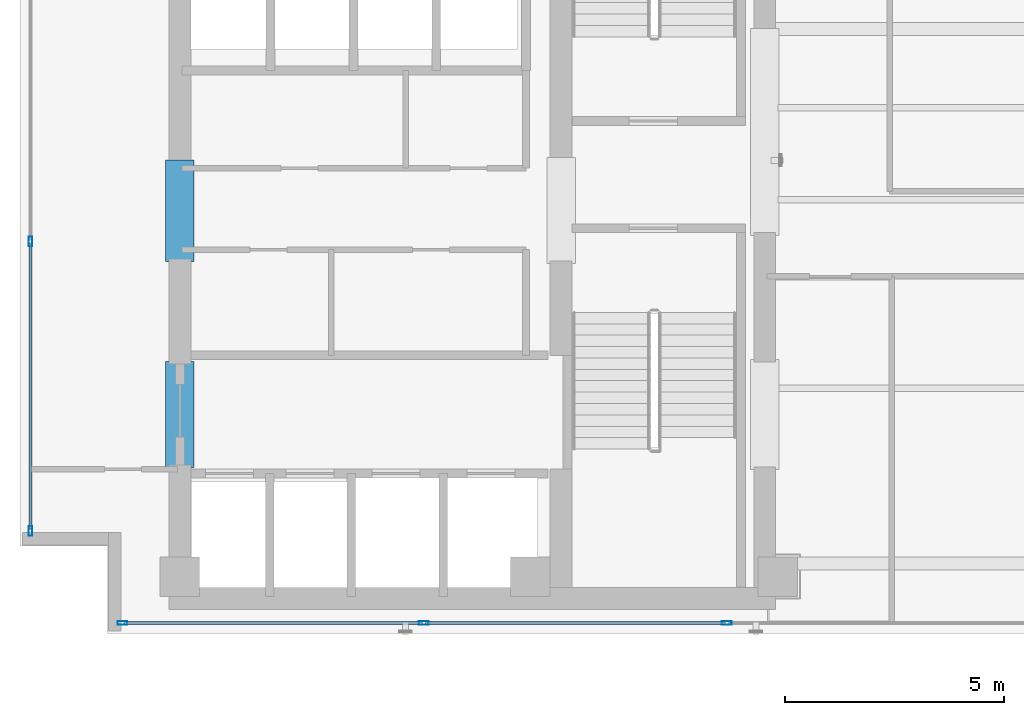
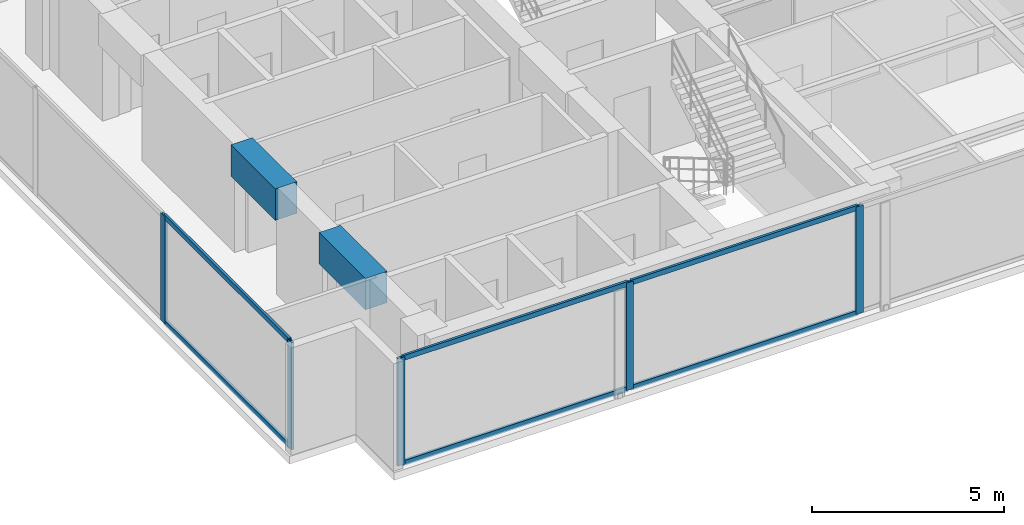
# One storey, part 2 of 23: 11 members, 2 beams, 2 elements without a shape of their own.
"""IFC4 building model written with IfcOpenShell, lengths in metres."""

from ifc_helpers import new_model, si_unit, direction, frame, origin, origin_with_axes, origin_2d, place, context, subcontext, project, spatial, rectangle, hollow_rectangle, extrude, source, transform, mapped, material, layer, layer_set, material_profile, profile_set, type_object, element, aggregate, save


model = new_model("IFC4")

# Units and contexts
model_context = context("Model", 3, precision=1e-05, world=origin(), true_north=direction((0.0, 1.0)))
body_context = subcontext(model_context, "Body", "Model", "MODEL_VIEW")
ifc_project = project(units=[si_unit("LENGTHUNIT", "METRE"), si_unit("AREAUNIT", "SQUARE_METRE"), si_unit("VOLUMEUNIT", "CUBIC_METRE"), si_unit("PLANEANGLEUNIT", "RADIAN"), si_unit("MASSUNIT", "GRAM", prefix="KILO")], contexts=[model_context])

# Site, building, storey
site_placement = place(None, origin())
site = spatial("IfcSite", under=ifc_project, at=site_placement, CompositionType="ELEMENT")
building_placement = place(site_placement, origin())
building = spatial("IfcBuilding", under=site, at=building_placement, Name="Kolvaren Waterfront Exchange", CompositionType="ELEMENT")
storey_placement = place(building_placement, frame((0.0, 0.0, 335.0)))
storey = spatial("IfcBuildingStorey", under=building, at=storey_placement, Name="L86", CompositionType="ELEMENT", Elevation=335.0)

# Beams
ifc_material_1 = material(Name="Concrete C60/75", Category="concrete")
ifc_material_profile_1 = material_profile(ifc_material_1, rectangle(XDim=0.64990234375, YDim=1.0, at=origin_2d()), Name="RC-CB-1000x650")
ifc_profile_set_1 = profile_set([ifc_material_profile_1], Name="Concrete C60/75")
beam_type = type_object("IfcBeamType", Name="STR-CB-1000", PredefinedType="SPANDREL", material=ifc_profile_set_1)
beam_1_placement = place(storey_placement, frame((7.449951171875, 7.389892578125, 2.919921875), z_axis=(0.0, 1.0, 0.0), x_axis=(-1.0, 0.0, 0.0)))
element("IfcBeam", 1, at=beam_1_placement, inside=storey, type_object=beam_type, Name="L86 core coupling beam 3", PredefinedType="SPANDREL", context=body_context, shape_type="SweptSolid", body=[
    extrude(rectangle(XDim=0.64990234375, YDim=1.0, at=origin_2d()), origin(), (0.0, 0.0, 1.0), 2.420166015625),
])
beam_2_placement = place(storey_placement, frame((7.449951171875, 12.090087890625, 2.919921875), z_axis=(0.0, 1.0, 0.0), x_axis=(-1.0, 0.0, 0.0)))
element("IfcBeam", 2, at=beam_2_placement, inside=storey, type_object=beam_type, Name="L86 core coupling beam 4", PredefinedType="SPANDREL", context=body_context, shape_type="SweptSolid", body=[
    extrude(rectangle(XDim=0.64990234375, YDim=1.0, at=origin_2d()), origin(), (0.0, 0.0, 1.0), 2.31982421875),
])

# Curtain wall, members
ifc_material_2 = material(Name="Anodised bronze aluminium 6063-T6", Category="aluminium")
ifc_layer_1 = layer(ifc_material_2, 0.219970703125, Name="Anodised bronze aluminium 6063-T6")
ifc_layer_set_1 = layer_set([ifc_layer_1], Name="Anodised bronze aluminium 6063-T6")
curtain_wall_type_1 = type_object("IfcCurtainWallType", Name="ARC-CW-SYS1", PredefinedType="USERDEFINED", material=ifc_layer_set_1)
curtain_wall_1_placement = place(storey_placement, origin())
curtain_wall_1 = element("IfcCurtainWall", 3, at=curtain_wall_1_placement, inside=storey, type_object=curtain_wall_type_1, Name="L86 stick curtain wall CW1 (CW-L86-S)", ObjectType="STICK CURTAIN WALL", PredefinedType="USERDEFINED")
ifc_material_3 = material(Name="Anodised aluminium 6063-T6", Category="aluminium")
ifc_material_profile_2 = material_profile(ifc_material_3, hollow_rectangle(XDim=0.080078125, YDim=0.219970703125, WallThickness=0.0048828125, at=origin_2d()), Name="ALU-MUL-220x80x5")
ifc_profile_set_2 = profile_set([ifc_material_profile_2], Name="Anodised aluminium 6063-T6")
member_type_1 = type_object("IfcMemberType", Name="ARC-CWM-220", PredefinedType="MULLION", material=ifc_profile_set_2)
shared_shape_1 = source(origin_with_axes(), body_context, "Body", "SweptSolid", [
    extrude(hollow_rectangle(XDim=0.080078125, YDim=0.219970703125, WallThickness=0.0048828125, at=origin_2d()), origin(), (0.0, 0.0, 1.0), 3.419921875),
])
member_1_placement = place(storey_placement, frame((6.139892578125, 3.840087890625, 0.0), z_axis=(0.0, 0.0, 1.0), x_axis=(0.0, 1.0, 0.0)))
member_1 = element("IfcMember", 4, at=member_1_placement, type_object=member_type_1, Name="CW1 mullion 1", PredefinedType="MULLION", context=body_context, shape_type="MappedRepresentation", body=[
    mapped(shared_shape_1, transform((0.0, 0.0, 0.0), x_axis=(1.0, 0.0, 0.0), y_axis=(0.0, 1.0, 0.0), z_axis=(0.0, 0.0, 1.0), scale=1.0)),
])
member_2_placement = place(storey_placement, frame((13.0166015625, 3.840087890625, 0.0), z_axis=(0.0, 0.0, 1.0), x_axis=(0.0, 1.0, 0.0)))
member_2 = element("IfcMember", 5, at=member_2_placement, type_object=member_type_1, Name="CW1 mullion 2", PredefinedType="MULLION", context=body_context, shape_type="MappedRepresentation", body=[
    mapped(shared_shape_1, transform((0.0, 0.0, 0.0), x_axis=(1.0, 0.0, 0.0), y_axis=(0.0, 1.0, 0.0), z_axis=(0.0, 0.0, 1.0), scale=1.0)),
])
member_3_placement = place(storey_placement, frame((19.933349609375, 3.840087890625, 0.0), z_axis=(0.0, 0.0, 1.0), x_axis=(0.0, 1.0, 0.0)))
member_3 = element("IfcMember", 6, at=member_3_placement, type_object=member_type_1, Name="CW1 mullion 3", PredefinedType="MULLION", context=body_context, shape_type="MappedRepresentation", body=[
    mapped(shared_shape_1, transform((0.0, 0.0, 0.0), x_axis=(1.0, 0.0, 0.0), y_axis=(0.0, 1.0, 0.0), z_axis=(0.0, 0.0, 1.0), scale=1.0)),
])

ifc_layer_2 = layer(ifc_material_3, 0.219970703125, Name="Anodised aluminium 6063-T6")
ifc_layer_set_2 = layer_set([ifc_layer_2], Name="Anodised aluminium 6063-T6")
curtain_wall_type_2 = type_object("IfcCurtainWallType", Name="ARC-CW-SYS2", PredefinedType="USERDEFINED", material=ifc_layer_set_2)
curtain_wall_2_placement = place(storey_placement, origin())
curtain_wall_2 = element("IfcCurtainWall", 7, at=curtain_wall_2_placement, inside=storey, type_object=curtain_wall_type_2, Name="L86 stick curtain wall CW2 (CW-L86-W)", ObjectType="STICK CURTAIN WALL", PredefinedType="USERDEFINED")
member_4_placement = place(storey_placement, frame((4.0400390625, 5.93994140625, 0.0), z_axis=(0.0, 0.0, 1.0), x_axis=(-1.0, 0.0, 0.0)))
member_4 = element("IfcMember", 8, at=member_4_placement, type_object=member_type_1, Name="CW2 mullion 1", PredefinedType="MULLION", context=body_context, shape_type="MappedRepresentation", body=[
    mapped(shared_shape_1, transform((0.0, 0.0, 0.0), x_axis=(1.0, 0.0, 0.0), y_axis=(0.0, 1.0, 0.0), z_axis=(0.0, 0.0, 1.0), scale=1.0)),
])
member_5_placement = place(storey_placement, frame((4.0400390625, 12.550048828125, 0.0), z_axis=(0.0, 0.0, 1.0), x_axis=(-1.0, 0.0, 0.0)))
member_5 = element("IfcMember", 9, at=member_5_placement, type_object=member_type_1, Name="CW2 mullion 2", PredefinedType="MULLION", context=body_context, shape_type="MappedRepresentation", body=[
    mapped(shared_shape_1, transform((0.0, 0.0, 0.0), x_axis=(1.0, 0.0, 0.0), y_axis=(0.0, 1.0, 0.0), z_axis=(0.0, 0.0, 1.0), scale=1.0)),
])

# Member
ifc_material_profile_3 = material_profile(ifc_material_3, hollow_rectangle(XDim=0.074951171875, YDim=0.159912109375, WallThickness=0.00439453125, at=origin_2d()), Name="ALU-TRN-160x75x4.5")
ifc_profile_set_3 = profile_set([ifc_material_profile_3], Name="Anodised aluminium 6063-T6")
member_type_2 = type_object("IfcMemberType", Name="ARC-CWT-160", PredefinedType="USERDEFINED", material=ifc_profile_set_3)
shared_shape_2 = source(origin_with_axes(), body_context, "Body", "SweptSolid", [
    extrude(hollow_rectangle(XDim=0.074951171875, YDim=0.159912109375, WallThickness=0.00439453125, at=origin_2d()), origin(), (0.0, 0.0, 1.0), 6.796630859375),
])
member_6_placement = place(storey_placement, frame((6.179931640625, 3.840087890625, 0.03759765625), z_axis=(1.0, 0.0, 0.0), x_axis=(0.0, 1.0, 0.0)))
member_6 = element("IfcMember", 10, at=member_6_placement, type_object=member_type_2, Name="CW1 transom 1.1", ObjectType="TRANSOM", PredefinedType="USERDEFINED", context=body_context, shape_type="MappedRepresentation", body=[
    mapped(shared_shape_2, transform((0.0, 0.0, 0.0), x_axis=(1.0, 0.0, 0.0), y_axis=(0.0, 1.0, 0.0), z_axis=(0.0, 0.0, 1.0), scale=1.0)),
])

member_7_placement = place(storey_placement, frame((6.179931640625, 3.840087890625, 3.382568359375), z_axis=(1.0, 0.0, 0.0), x_axis=(0.0, 1.0, 0.0)))
member_7 = element("IfcMember", 11, at=member_7_placement, type_object=member_type_2, Name="CW1 transom 1.2", ObjectType="TRANSOM", PredefinedType="USERDEFINED", context=body_context, shape_type="MappedRepresentation", body=[
    mapped(shared_shape_2, transform((0.0, 0.0, 0.0), x_axis=(1.0, 0.0, 0.0), y_axis=(0.0, 1.0, 0.0), z_axis=(0.0, 0.0, 1.0), scale=1.0)),
])

shared_shape_3 = source(origin_with_axes(), body_context, "Body", "SweptSolid", [
    extrude(hollow_rectangle(XDim=0.074951171875, YDim=0.159912109375, WallThickness=0.00439453125, at=origin_2d()), origin(), (0.0, 0.0, 1.0), 6.836669921875),
])
member_8_placement = place(storey_placement, frame((13.056640625, 3.840087890625, 0.03759765625), z_axis=(1.0, 0.0, 0.0), x_axis=(0.0, 1.0, 0.0)))
member_8 = element("IfcMember", 12, at=member_8_placement, type_object=member_type_2, Name="CW1 transom 2.1", ObjectType="TRANSOM", PredefinedType="USERDEFINED", context=body_context, shape_type="MappedRepresentation", body=[
    mapped(shared_shape_3, transform((0.0, 0.0, 0.0), x_axis=(1.0, 0.0, 0.0), y_axis=(0.0, 1.0, 0.0), z_axis=(0.0, 0.0, 1.0), scale=1.0)),
])

member_9_placement = place(storey_placement, frame((13.056640625, 3.840087890625, 3.382568359375), z_axis=(1.0, 0.0, 0.0), x_axis=(0.0, 1.0, 0.0)))
member_9 = element("IfcMember", 13, at=member_9_placement, type_object=member_type_2, Name="CW1 transom 2.2", ObjectType="TRANSOM", PredefinedType="USERDEFINED", context=body_context, shape_type="MappedRepresentation", body=[
    mapped(shared_shape_3, transform((0.0, 0.0, 0.0), x_axis=(1.0, 0.0, 0.0), y_axis=(0.0, 1.0, 0.0), z_axis=(0.0, 0.0, 1.0), scale=1.0)),
])

aggregate(curtain_wall_1, [member_1, member_2, member_3, member_6, member_7, member_8, member_9])

shared_shape_4 = source(origin_with_axes(), body_context, "Body", "SweptSolid", [
    extrude(hollow_rectangle(XDim=0.074951171875, YDim=0.159912109375, WallThickness=0.00439453125, at=origin_2d()), origin(), (0.0, 0.0, 1.0), 6.530029296875),
])
member_10_placement = place(storey_placement, frame((4.0400390625, 5.97998046875, 0.03759765625), z_axis=(0.0, 1.0, 0.0), x_axis=(-1.0, 0.0, 0.0)))
member_10 = element("IfcMember", 14, at=member_10_placement, type_object=member_type_2, Name="CW2 transom 1.1", ObjectType="TRANSOM", PredefinedType="USERDEFINED", context=body_context, shape_type="MappedRepresentation", body=[
    mapped(shared_shape_4, transform((0.0, 0.0, 0.0), x_axis=(1.0, 0.0, 0.0), y_axis=(0.0, 1.0, 0.0), z_axis=(0.0, 0.0, 1.0), scale=1.0)),
])

member_11_placement = place(storey_placement, frame((4.0400390625, 5.97998046875, 3.382568359375), z_axis=(0.0, 1.0, 0.0), x_axis=(-1.0, 0.0, 0.0)))
member_11 = element("IfcMember", 15, at=member_11_placement, type_object=member_type_2, Name="CW2 transom 1.2", ObjectType="TRANSOM", PredefinedType="USERDEFINED", context=body_context, shape_type="MappedRepresentation", body=[
    mapped(shared_shape_4, transform((0.0, 0.0, 0.0), x_axis=(1.0, 0.0, 0.0), y_axis=(0.0, 1.0, 0.0), z_axis=(0.0, 0.0, 1.0), scale=1.0)),
])

aggregate(curtain_wall_2, [member_4, member_5, member_10, member_11])

save(model, "model.ifc")
